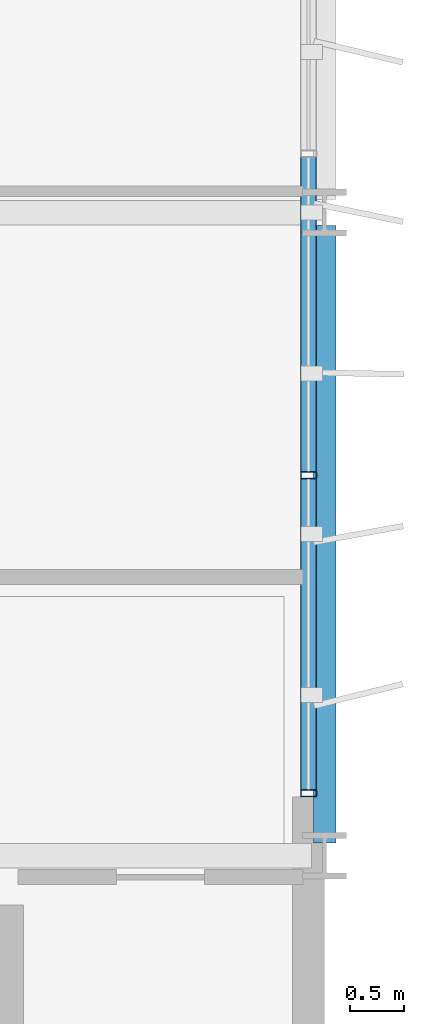
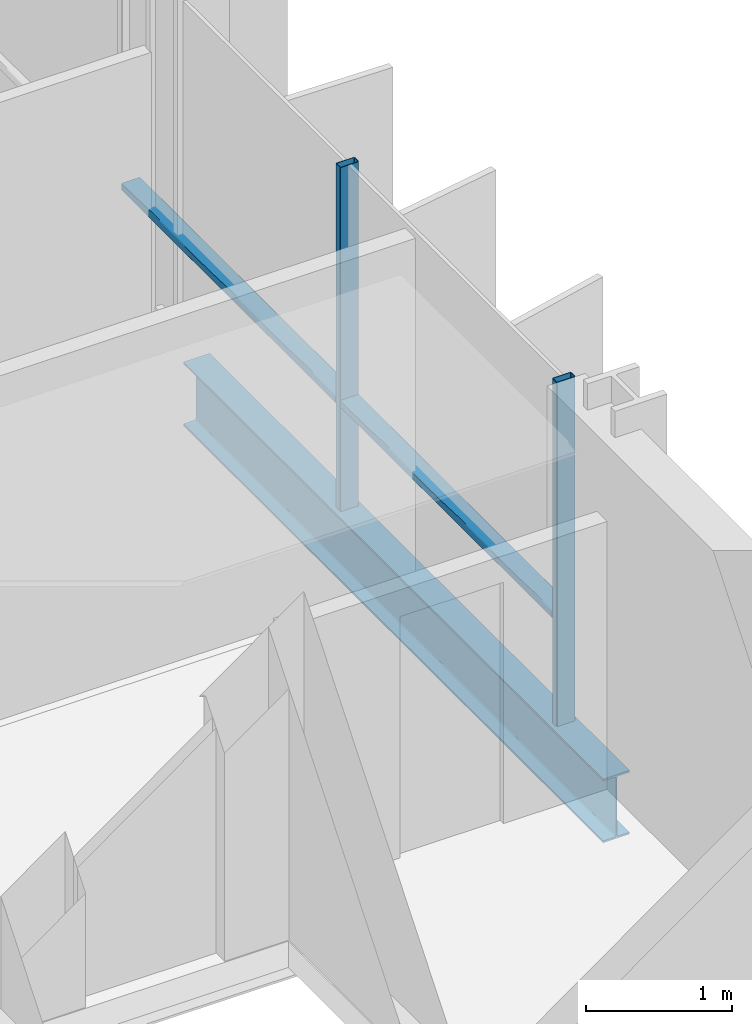
# One storey, part 15 of 39: 4 members, 1 beam, 1 element without a shape of its own.
"""IFC4 building model written with IfcOpenShell, lengths in metres."""

from ifc_helpers import new_model, si_unit, direction, frame, origin, origin_2d, place, context, subcontext, project, spatial, hollow_rectangle, i_section, extrude, material, layer, layer_set, material_profile, profile_set, type_object, element, aggregate, save


model = new_model("IFC4")

# Units and contexts
model_context = context("Model", 3, precision=1e-05, world=origin(), true_north=direction((0.0, 1.0)))
body_context = subcontext(model_context, "Body", "Model", "MODEL_VIEW")
ifc_project = project(units=[si_unit("LENGTHUNIT", "METRE"), si_unit("AREAUNIT", "SQUARE_METRE"), si_unit("VOLUMEUNIT", "CUBIC_METRE"), si_unit("PLANEANGLEUNIT", "RADIAN"), si_unit("MASSUNIT", "GRAM", prefix="KILO")], contexts=[model_context])

# Site, building, storey
site_placement = place(None, origin())
site = spatial("IfcSite", under=ifc_project, at=site_placement, CompositionType="ELEMENT")
building_placement = place(site_placement, origin())
building = spatial("IfcBuilding", under=site, at=building_placement, Name="Brevholm Reach", CompositionType="ELEMENT")
storey_placement = place(building_placement, frame((0.0, 0.0, 103.5)))
storey = spatial("IfcBuildingStorey", under=building, at=storey_placement, Name="L30", CompositionType="ELEMENT", Elevation=103.5)

# Beam
ifc_material_1 = material(Name="Structural Steel S355J2", Category="steel")
ifc_material_profile_1 = material_profile(ifc_material_1, i_section(OverallWidth=0.209228515625, OverallDepth=0.533203125, WebThickness=0.010009765625, FlangeThickness=0.015625, FilletRadius=0.0126953125, at=origin_2d()), Name="UKB 533x210x92")
ifc_profile_set_1 = profile_set([ifc_material_profile_1], Name="Structural Steel S355J2")
beam_type = type_object("IfcBeamType", Name="BM-SP533", PredefinedType="SPANDREL", material=ifc_profile_set_1)
beam_placement = place(storey_placement, frame((60.0, 10.1201171875, -0.486572265625), z_axis=(0.0, 1.0, 0.0), x_axis=(-1.0, 0.0, 0.0)))
element("IfcBeam", 1, at=beam_placement, inside=storey, type_object=beam_type, Name="L30 SP-02 Framing Beam", PredefinedType="SPANDREL", context=body_context, shape_type="SweptSolid", body=[
    extrude(i_section(OverallWidth=0.209228515625, OverallDepth=0.533203125, WebThickness=0.010009765625, FlangeThickness=0.015625, FilletRadius=0.0126953125, at=origin_2d()), origin(), (0.0, 0.0, 1.0), 5.759765625),
])

# Curtain wall, members
ifc_material_2 = material(Name="Dark Anodised Aluminium 6063-T6 and Solar-Control Glass", Category="aluminium")
ifc_layer = layer(ifc_material_2, 0.14990234375)
ifc_layer_set = layer_set([ifc_layer], Name="Dark Anodised Aluminium 6063-T6 and Solar-Control Glass")
curtain_wall_type = type_object("IfcCurtainWallType", Name="CW-01", PredefinedType="NOTDEFINED", material=ifc_layer_set)
curtain_wall_placement = place(storey_placement, origin())
curtain_wall = element("IfcCurtainWall", 2, at=curtain_wall_placement, inside=storey, type_object=curtain_wall_type, Name="L30 Curtain Wall CW-01", PredefinedType="NOTDEFINED")
ifc_material_3 = material(Name="Dark Anodised Aluminium 6063-T6", Category="aluminium")
ifc_material_profile_2 = material_profile(ifc_material_3, hollow_rectangle(XDim=0.06494140625, YDim=0.14990234375, WallThickness=0.0048828125, InnerFilletRadius=0.0048828125, OuterFilletRadius=0.010009765625, at=origin_2d()), Name="RHS 150x65x5")
ifc_profile_set_2 = profile_set([ifc_material_profile_2], Name="Dark Anodised Aluminium 6063-T6")
member_type_1 = type_object("IfcMemberType", Name="CWM-150", PredefinedType="MULLION", material=ifc_profile_set_2)
member_1_placement = place(storey_placement, frame((59.85009765625, 10.58251953125, 0.0), z_axis=(0.0, 0.0, 1.0), x_axis=(0.0, 1.0, 0.0)))
member_1 = element("IfcMember", 3, at=member_1_placement, type_object=member_type_1, Name="CM-150 Mullion 1", PredefinedType="MULLION", context=body_context, shape_type="SweptSolid", body=[
    extrude(hollow_rectangle(XDim=0.06494140625, YDim=0.14990234375, WallThickness=0.0048828125, InnerFilletRadius=0.0048828125, OuterFilletRadius=0.010009765625, at=origin_2d()), origin(), (0.0, 0.0, 1.0), 2.8798828125),
])
member_2_placement = place(storey_placement, frame((59.85009765625, 13.550048828125, 0.0), z_axis=(0.0, 0.0, 1.0), x_axis=(0.0, 1.0, 0.0)))
member_2 = element("IfcMember", 4, at=member_2_placement, type_object=member_type_1, Name="CM-150 Mullion 2", PredefinedType="MULLION", context=body_context, shape_type="SweptSolid", body=[
    extrude(hollow_rectangle(XDim=0.06494140625, YDim=0.14990234375, WallThickness=0.0048828125, InnerFilletRadius=0.0048828125, OuterFilletRadius=0.010009765625, at=origin_2d()), origin(), (0.0, 0.0, 1.0), 2.8798828125),
])
ifc_material_4 = material(Name="Dark Anodised Aluminium 6063-T6", Category="aluminium")
ifc_material_profile_3 = material_profile(ifc_material_4, hollow_rectangle(XDim=0.06494140625, YDim=0.14990234375, WallThickness=0.0048828125, InnerFilletRadius=0.0048828125, OuterFilletRadius=0.010009765625, at=origin_2d()), Name="RHS 150x65x5")
ifc_profile_set_3 = profile_set([ifc_material_profile_3], Name="Dark Anodised Aluminium 6063-T6")
member_type_2 = type_object("IfcMemberType", Name="CWT-150", PredefinedType="NOTDEFINED", material=ifc_profile_set_3)
member_3_placement = place(storey_placement, frame((59.85009765625, 10.614990234375, 0.89990234375), z_axis=(0.0, 1.0, 0.0), x_axis=(0.0, 0.0, 1.0)))
member_3 = element("IfcMember", 5, at=member_3_placement, type_object=member_type_2, Name="CT-150 Transom 1.1", ObjectType="TRANSOM", PredefinedType="USERDEFINED", context=body_context, shape_type="SweptSolid", body=[
    extrude(hollow_rectangle(XDim=0.06494140625, YDim=0.14990234375, WallThickness=0.0048828125, InnerFilletRadius=0.0048828125, OuterFilletRadius=0.010009765625, at=origin_2d()), origin(), (0.0, 0.0, 1.0), 2.902587890625),
])
member_4_placement = place(storey_placement, frame((59.85009765625, 13.58251953125, 0.89990234375), z_axis=(0.0, 1.0, 0.0), x_axis=(0.0, 0.0, 1.0)))
member_4 = element("IfcMember", 6, at=member_4_placement, type_object=member_type_2, Name="CT-150 Transom 2.1", ObjectType="TRANSOM", PredefinedType="USERDEFINED", context=body_context, shape_type="SweptSolid", body=[
    extrude(hollow_rectangle(XDim=0.06494140625, YDim=0.14990234375, WallThickness=0.0048828125, InnerFilletRadius=0.0048828125, OuterFilletRadius=0.010009765625, at=origin_2d()), origin(), (0.0, 0.0, 1.0), 2.93505859375),
])
aggregate(curtain_wall, [member_1, member_2, member_3, member_4])

save(model, "model.ifc")
